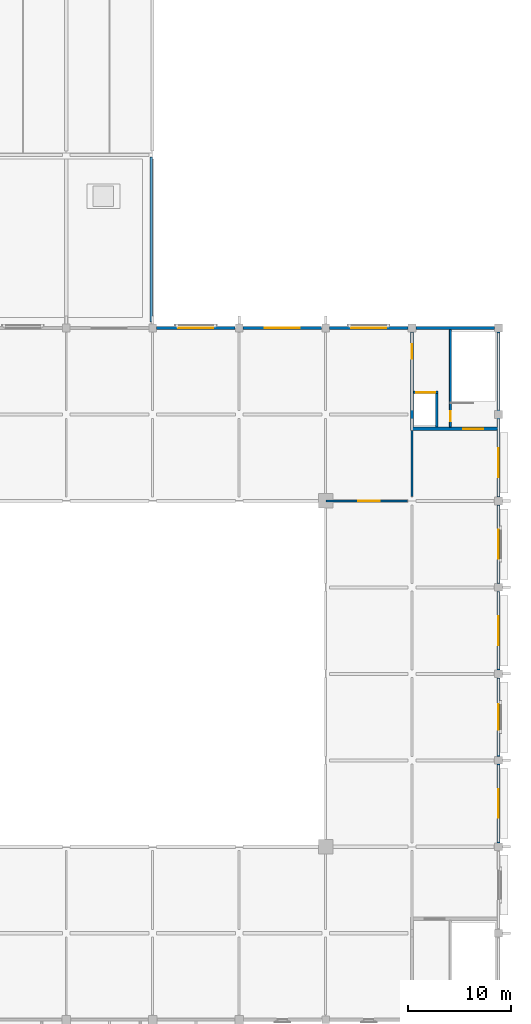
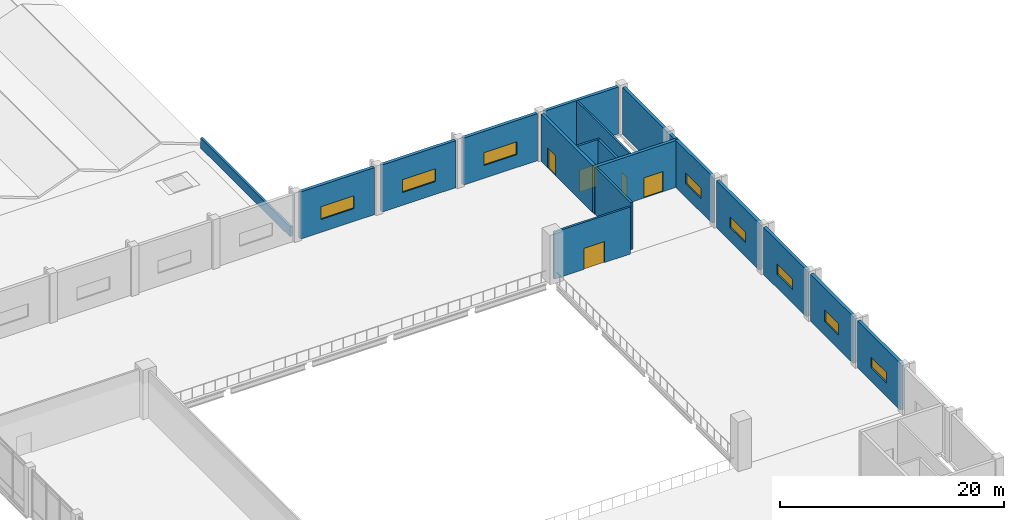
# One storey, part 60 of 72: 18 walls, 8 windows, 5 doors, 13 openings.
"""IFC4 building model written with IfcOpenShell, lengths in metres."""

from ifc_helpers import new_model, si_unit, direction, frame, frame_2d, origin, place, context, subcontext, project, spatial, rectangle, extrude, material, layer, layer_set, type_object, element, fill, save


model = new_model("IFC4")

# Units and contexts
model_context = context("Model", 3, precision=1e-05, world=origin(), true_north=direction((0.0, 1.0)))
body_context = subcontext(model_context, "Body", "Model", "MODEL_VIEW")
ifc_project = project(units=[si_unit("LENGTHUNIT", "METRE"), si_unit("AREAUNIT", "SQUARE_METRE"), si_unit("VOLUMEUNIT", "CUBIC_METRE"), si_unit("PLANEANGLEUNIT", "RADIAN"), si_unit("MASSUNIT", "GRAM", prefix="KILO")], contexts=[model_context])

# Site, building, storey
site_placement = place(None, origin())
site = spatial("IfcSite", under=ifc_project, at=site_placement, CompositionType="ELEMENT")
building_placement = place(site_placement, origin())
building = spatial("IfcBuilding", under=site, at=building_placement, Name="Qawsi Khor Wholesale Market", CompositionType="ELEMENT")
storey_placement = place(building_placement, frame((0.0, 0.0, 6.0)))
storey = spatial("IfcBuildingStorey", under=building, at=storey_placement, Name="L01", CompositionType="ELEMENT", Elevation=6.0)

# Wall, opening, door
ifc_material_1 = material(Name="Gypsum Fireboard on Steel Stud", Category="steel")
ifc_layer_1 = layer(ifc_material_1, 0.2099609375, Name="Gypsum Fireboard on Steel Stud")
ifc_layer_set_1 = layer_set([ifc_layer_1], Name="Gypsum Fireboard on Steel Stud")
wall_type_1 = type_object("IfcWallType", Name="Corridor Fire Partition Wall 210", PredefinedType="PARTITIONING", material=ifc_layer_set_1)
wall_1_placement = place(storey_placement, frame((201.64990234375, 92.39990234375, 0.0), z_axis=(0.0, 0.0, 1.0), x_axis=(1.0, 0.0, 0.0)))
wall_1 = element("IfcWall", 1, at=wall_1_placement, inside=storey, type_object=wall_type_1, Name="PW-L01-125", PredefinedType="PARTITIONING", context=body_context, shape_type="SweptSolid", body=[
    extrude(rectangle(XDim=7.900146484375, YDim=0.2099609375, at=frame_2d((3.9501953125, 0.0))), origin(), (0.0, 0.0, 1.0), 5.1298828125),
])
opening_1_placement = place(wall_1_placement, frame((3.10009765625, 0.0, 0.0)))
opening_1 = element("IfcOpeningElement", 2, at=opening_1_placement, cuts=wall_1, Name="Opening ID-03", PredefinedType="OPENING", context=body_context, shape_type="SweptSolid", body=[
    extrude(rectangle(XDim=2.10009765625, YDim=2.300048828125, at=frame_2d((1.050048828125, 1.14990234375))), frame((0.0, 0.114990234375, 0.0), z_axis=(0.0, -1.0, 0.0), x_axis=(1.0, 0.0, 0.0)), (0.0, 0.0, 1.0), 0.22998046875),
])
ifc_material_2 = material(Name="Glazed Steel Fire Door", Category="steel")
door_type_1 = type_object("IfcDoorType", Name="Hall Concourse Double Door 2100x2300 FD60S", OperationType="NOTDEFINED", PredefinedType="DOOR", material=ifc_material_2)
door_1_placement = place(opening_1_placement, origin())
door_1 = element("IfcDoor", 3, at=door_1_placement, inside=storey, type_object=door_type_1, Name="Hall Concourse Double Door 2100x2300 FD60S L01-133", OperationType="DOUBLE_DOOR_SINGLE_SWING", OverallHeight=2.300048828125, OverallWidth=2.10009765625, PredefinedType="DOOR", context=body_context, shape_type="SweptSolid", body=[
    extrude(rectangle(XDim=2.10009765625, YDim=2.300048828125, at=frame_2d((1.050048828125, 1.14990234375))), frame((0.0, 0.02490234375, 0.0), z_axis=(0.0, -1.0, 0.0), x_axis=(1.0, 0.0, 0.0)), (0.0, 0.0, 1.0), 0.050048828125),
])
fill(opening_1, door_1)

# Wall
wall_2_placement = place(storey_placement, frame((210.0, 92.85009765625, 0.0), z_axis=(0.0, 0.0, 1.0), x_axis=(0.0, 1.0, 0.0)))
element("IfcWall", 4, at=wall_2_placement, inside=storey, type_object=wall_type_1, Name="PW-L01-126", PredefinedType="PARTITIONING", context=body_context, shape_type="SweptSolid", body=[
    extrude(rectangle(XDim=6.369873046875, YDim=0.2099609375, at=frame_2d((3.18505859375, 0.0))), origin(), (0.0, 0.0, 1.0), 5.1298828125),
])

# Wall, opening, window
ifc_material_3 = material(Name="Concrete C40/50", Category="concrete")
ifc_layer_2 = layer(ifc_material_3, 0.330078125, Name="Concrete C40/50")
ifc_layer_set_2 = layer_set([ifc_layer_2], Name="Concrete C40/50")
wall_type_2 = type_object("IfcWallType", Name="Fish Hall Precast Insulated Wall 330", PredefinedType="SOLIDWALL", material=ifc_layer_set_2)
wall_3_placement = place(storey_placement, frame((218.39990234375, 66.820068359375, 0.0), z_axis=(0.0, 0.0, 1.0), x_axis=(0.0, -1.0, 0.0)))
wall_3 = element("IfcWall", 5, at=wall_3_placement, inside=storey, type_object=wall_type_2, Name="EW-L01-EHE-07", PredefinedType="SOLIDWALL", context=body_context, shape_type="SweptSolid", body=[
    extrude(rectangle(XDim=7.64013671875, YDim=0.330078125, at=frame_2d((3.820068359375, 0.0))), origin(), (0.0, 0.0, 1.0), 5.1298828125),
])
opening_2_placement = place(wall_3_placement, frame((2.419921875, 0.0, 1.5)))
opening_2 = element("IfcOpeningElement", 6, at=opening_2_placement, cuts=wall_3, Name="Opening W-15", PredefinedType="OPENING", context=body_context, shape_type="SweptSolid", body=[
    extrude(rectangle(XDim=2.800048828125, YDim=1.14990234375, at=frame_2d((1.39990234375, 0.574951171875))), frame((0.0, 0.175048828125, 0.0), z_axis=(0.0, -1.0, 0.0), x_axis=(1.0, 0.0, 0.0)), (0.0, 0.0, 1.0), 0.35009765625),
])
ifc_material_4 = material(Name="Thermally Broken Aluminium & Low-E Glass", Category="aluminium")
window_type_1 = type_object("IfcWindowType", Name="Win W-15 Fish Hall High Vent 2800x1150", PartitioningType="SINGLE_PANEL", PredefinedType="WINDOW", material=ifc_material_4)
window_1_placement = place(opening_2_placement, origin())
window_1 = element("IfcWindow", 7, at=window_1_placement, inside=storey, type_object=window_type_1, Name="Win W-15 Fish Hall High Vent 2800x1150 185", OverallHeight=1.14990234375, OverallWidth=2.800048828125, PartitioningType="SINGLE_PANEL", PredefinedType="WINDOW", context=body_context, shape_type="SweptSolid", body=[
    extrude(rectangle(XDim=2.800048828125, YDim=1.14990234375, at=frame_2d((1.39990234375, 0.574951171875))), frame((0.0, 0.030029296875, 0.0), z_axis=(0.0, -1.0, 0.0), x_axis=(1.0, 0.0, 0.0)), (0.0, 0.0, 1.0), 0.06005859375),
])
fill(opening_2, window_1)

wall_4_placement = place(storey_placement, frame((218.39990234375, 75.219970703125, 0.0), z_axis=(0.0, 0.0, 1.0), x_axis=(0.0, -1.0, 0.0)))
wall_4 = element("IfcWall", 8, at=wall_4_placement, inside=storey, type_object=wall_type_2, Name="EW-L01-EHE-08", PredefinedType="SOLIDWALL", context=body_context, shape_type="SweptSolid", body=[
    extrude(rectangle(XDim=7.639892578125, YDim=0.330078125, at=frame_2d((3.81982421875, 0.0))), origin(), (0.0, 0.0, 1.0), 5.1298828125),
])
opening_3_placement = place(wall_4_placement, frame((2.570068359375, 0.0, 1.5)))
opening_3 = element("IfcOpeningElement", 9, at=opening_3_placement, cuts=wall_4, Name="Opening W-22", PredefinedType="OPENING", context=body_context, shape_type="SweptSolid", body=[
    extrude(rectangle(XDim=2.5, YDim=1.25, at=frame_2d((1.25, 0.625))), frame((0.0, 0.175048828125, 0.0), z_axis=(0.0, -1.0, 0.0), x_axis=(1.0, 0.0, 0.0)), (0.0, 0.0, 1.0), 0.35009765625),
])
window_type_2 = type_object("IfcWindowType", Name="Win W-22 Fish Mezzanine Vent 2500x1250", PartitioningType="SINGLE_PANEL", PredefinedType="WINDOW", material=ifc_material_4)
window_2_placement = place(opening_3_placement, origin())
window_2 = element("IfcWindow", 10, at=window_2_placement, inside=storey, type_object=window_type_2, Name="Win W-22 Fish Mezzanine Vent 2500x1250 186", OverallHeight=1.25, OverallWidth=2.5, PartitioningType="SINGLE_PANEL", PredefinedType="WINDOW", context=body_context, shape_type="SweptSolid", body=[
    extrude(rectangle(XDim=2.5, YDim=1.25, at=frame_2d((1.25, 0.625))), frame((0.0, 0.030029296875, 0.0), z_axis=(0.0, -1.0, 0.0), x_axis=(1.0, 0.0, 0.0)), (0.0, 0.0, 1.0), 0.06005859375),
])
fill(opening_3, window_2)

wall_5_placement = place(storey_placement, frame((218.39990234375, 83.6201171875, 0.0), z_axis=(0.0, 0.0, 1.0), x_axis=(0.0, -1.0, 0.0)))
wall_5 = element("IfcWall", 11, at=wall_5_placement, inside=storey, type_object=wall_type_2, Name="EW-L01-EHE-09", PredefinedType="SOLIDWALL", context=body_context, shape_type="SweptSolid", body=[
    extrude(rectangle(XDim=7.64013671875, YDim=0.330078125, at=frame_2d((3.820068359375, 0.0))), origin(), (0.0, 0.0, 1.0), 5.1298828125),
])
opening_4_placement = place(wall_5_placement, frame((2.419921875, 0.0, 1.5)))
opening_4 = element("IfcOpeningElement", 12, at=opening_4_placement, cuts=wall_5, Name="Opening W-15", PredefinedType="OPENING", context=body_context, shape_type="SweptSolid", body=[
    extrude(rectangle(XDim=2.800048828125, YDim=1.14990234375, at=frame_2d((1.39990234375, 0.574951171875))), frame((0.0, 0.175048828125, 0.0), z_axis=(0.0, -1.0, 0.0), x_axis=(1.0, 0.0, 0.0)), (0.0, 0.0, 1.0), 0.35009765625),
])
window_3_placement = place(opening_4_placement, origin())
window_3 = element("IfcWindow", 13, at=window_3_placement, inside=storey, type_object=window_type_1, Name="Win W-15 Fish Hall High Vent 2800x1150 187", OverallHeight=1.14990234375, OverallWidth=2.800048828125, PartitioningType="SINGLE_PANEL", PredefinedType="WINDOW", context=body_context, shape_type="SweptSolid", body=[
    extrude(rectangle(XDim=2.800048828125, YDim=1.14990234375, at=frame_2d((1.39990234375, 0.574951171875))), frame((0.0, 0.030029296875, 0.0), z_axis=(0.0, -1.0, 0.0), x_axis=(1.0, 0.0, 0.0)), (0.0, 0.0, 1.0), 0.06005859375),
])
fill(opening_4, window_3)

wall_6_placement = place(storey_placement, frame((218.39990234375, 92.02001953125, 0.0), z_axis=(0.0, 0.0, 1.0), x_axis=(0.0, -1.0, 0.0)))
wall_6 = element("IfcWall", 14, at=wall_6_placement, inside=storey, type_object=wall_type_2, Name="EW-L01-EHE-10", PredefinedType="SOLIDWALL", context=body_context, shape_type="SweptSolid", body=[
    extrude(rectangle(XDim=7.64013671875, YDim=0.330078125, at=frame_2d((3.820068359375, 0.0))), origin(), (0.0, 0.0, 1.0), 5.1298828125),
])
opening_5_placement = place(wall_6_placement, frame((2.419921875, 0.0, 1.5)))
opening_5 = element("IfcOpeningElement", 15, at=opening_5_placement, cuts=wall_6, Name="Opening W-15", PredefinedType="OPENING", context=body_context, shape_type="SweptSolid", body=[
    extrude(rectangle(XDim=2.800048828125, YDim=1.14990234375, at=frame_2d((1.39990234375, 0.574951171875))), frame((0.0, 0.175048828125, 0.0), z_axis=(0.0, -1.0, 0.0), x_axis=(1.0, 0.0, 0.0)), (0.0, 0.0, 1.0), 0.35009765625),
])
window_4_placement = place(opening_5_placement, origin())
window_4 = element("IfcWindow", 16, at=window_4_placement, inside=storey, type_object=window_type_1, Name="Win W-15 Fish Hall High Vent 2800x1150 188", OverallHeight=1.14990234375, OverallWidth=2.800048828125, PartitioningType="SINGLE_PANEL", PredefinedType="WINDOW", context=body_context, shape_type="SweptSolid", body=[
    extrude(rectangle(XDim=2.800048828125, YDim=1.14990234375, at=frame_2d((1.39990234375, 0.574951171875))), frame((0.0, 0.030029296875, 0.0), z_axis=(0.0, -1.0, 0.0), x_axis=(1.0, 0.0, 0.0)), (0.0, 0.0, 1.0), 0.06005859375),
])
fill(opening_5, window_4)

wall_7_placement = place(storey_placement, frame((218.39990234375, 99.35009765625, 0.0), z_axis=(0.0, 0.0, 1.0), x_axis=(0.0, -1.0, 0.0)))
wall_7 = element("IfcWall", 17, at=wall_7_placement, inside=storey, type_object=wall_type_2, Name="EW-L01-EHE-11", PredefinedType="SOLIDWALL", context=body_context, shape_type="SweptSolid", body=[
    extrude(rectangle(XDim=6.570068359375, YDim=0.330078125, at=frame_2d((3.28515625, 0.0))), origin(), (0.0, 0.0, 1.0), 5.1298828125),
])
opening_6_placement = place(wall_7_placement, frame((1.8349609375, 0.0, 1.5)))
opening_6 = element("IfcOpeningElement", 18, at=opening_6_placement, cuts=wall_7, Name="Opening W-15", PredefinedType="OPENING", context=body_context, shape_type="SweptSolid", body=[
    extrude(rectangle(XDim=2.800048828125, YDim=1.14990234375, at=frame_2d((1.39990234375, 0.574951171875))), frame((0.0, 0.175048828125, 0.0), z_axis=(0.0, -1.0, 0.0), x_axis=(1.0, 0.0, 0.0)), (0.0, 0.0, 1.0), 0.35009765625),
])
window_5_placement = place(opening_6_placement, origin())
window_5 = element("IfcWindow", 19, at=window_5_placement, inside=storey, type_object=window_type_1, Name="Win W-15 Fish Hall High Vent 2800x1150 189", OverallHeight=1.14990234375, OverallWidth=2.800048828125, PartitioningType="SINGLE_PANEL", PredefinedType="WINDOW", context=body_context, shape_type="SweptSolid", body=[
    extrude(rectangle(XDim=2.800048828125, YDim=1.14990234375, at=frame_2d((1.39990234375, 0.574951171875))), frame((0.0, 0.030029296875, 0.0), z_axis=(0.0, -1.0, 0.0), x_axis=(1.0, 0.0, 0.0)), (0.0, 0.0, 1.0), 0.06005859375),
])
fill(opening_6, window_5)

wall_8_placement = place(storey_placement, frame((185.179931640625, 109.199951171875, 0.0), z_axis=(0.0, 0.0, 1.0), x_axis=(1.0, 0.0, 0.0)))
wall_8 = element("IfcWall", 20, at=wall_8_placement, inside=storey, type_object=wall_type_2, Name="EW-L01-EHN-22", PredefinedType="SOLIDWALL", context=body_context, shape_type="SweptSolid", body=[
    extrude(rectangle(XDim=7.64013671875, YDim=0.330078125, at=frame_2d((3.820068359375, 0.0))), origin(), (0.0, 0.0, 1.0), 5.1298828125),
])
opening_7_placement = place(wall_8_placement, frame((2.1201171875, 0.0, 1.39990234375)))
opening_7 = element("IfcOpeningElement", 21, at=opening_7_placement, cuts=wall_8, Name="Opening W-14", PredefinedType="OPENING", context=body_context, shape_type="SweptSolid", body=[
    extrude(rectangle(XDim=3.39990234375, YDim=1.39990234375, at=frame_2d((1.699951171875, 0.699951171875))), frame((0.0, 0.175048828125, 0.0), z_axis=(0.0, -1.0, 0.0), x_axis=(1.0, 0.0, 0.0)), (0.0, 0.0, 1.0), 0.35009765625),
])
window_type_3 = type_object("IfcWindowType", Name="Win W-14 Flower Hall North Light 3400x1400", PartitioningType="SINGLE_PANEL", PredefinedType="WINDOW", material=ifc_material_4)
window_6_placement = place(opening_7_placement, origin())
window_6 = element("IfcWindow", 22, at=window_6_placement, inside=storey, type_object=window_type_3, Name="Win W-14 Flower Hall North Light 3400x1400 197", OverallHeight=1.39990234375, OverallWidth=3.39990234375, PartitioningType="SINGLE_PANEL", PredefinedType="WINDOW", context=body_context, shape_type="SweptSolid", body=[
    extrude(rectangle(XDim=3.39990234375, YDim=1.39990234375, at=frame_2d((1.699951171875, 0.699951171875))), frame((0.0, 0.030029296875, 0.0), z_axis=(0.0, -1.0, 0.0), x_axis=(1.0, 0.0, 0.0)), (0.0, 0.0, 1.0), 0.06005859375),
])
fill(opening_7, window_6)

wall_9_placement = place(storey_placement, frame((193.580078125, 109.199951171875, 0.0), z_axis=(0.0, 0.0, 1.0), x_axis=(1.0, 0.0, 0.0)))
wall_9 = element("IfcWall", 23, at=wall_9_placement, inside=storey, type_object=wall_type_2, Name="EW-L01-EHN-23", PredefinedType="SOLIDWALL", context=body_context, shape_type="SweptSolid", body=[
    extrude(rectangle(XDim=7.639892578125, YDim=0.330078125, at=frame_2d((3.81982421875, 0.0))), origin(), (0.0, 0.0, 1.0), 5.1298828125),
])
opening_8_placement = place(wall_9_placement, frame((2.1201171875, 0.0, 1.39990234375)))
opening_8 = element("IfcOpeningElement", 24, at=opening_8_placement, cuts=wall_9, Name="Opening W-14", PredefinedType="OPENING", context=body_context, shape_type="SweptSolid", body=[
    extrude(rectangle(XDim=3.39990234375, YDim=1.39990234375, at=frame_2d((1.699951171875, 0.699951171875))), frame((0.0, 0.175048828125, 0.0), z_axis=(0.0, -1.0, 0.0), x_axis=(1.0, 0.0, 0.0)), (0.0, 0.0, 1.0), 0.35009765625),
])
window_7_placement = place(opening_8_placement, origin())
window_7 = element("IfcWindow", 25, at=window_7_placement, inside=storey, type_object=window_type_3, Name="Win W-14 Flower Hall North Light 3400x1400 198", OverallHeight=1.39990234375, OverallWidth=3.39990234375, PartitioningType="SINGLE_PANEL", PredefinedType="WINDOW", context=body_context, shape_type="SweptSolid", body=[
    extrude(rectangle(XDim=3.39990234375, YDim=1.39990234375, at=frame_2d((1.699951171875, 0.699951171875))), frame((0.0, 0.030029296875, 0.0), z_axis=(0.0, -1.0, 0.0), x_axis=(1.0, 0.0, 0.0)), (0.0, 0.0, 1.0), 0.06005859375),
])
fill(opening_8, window_7)

wall_10_placement = place(storey_placement, frame((201.97998046875, 109.199951171875, 0.0), z_axis=(0.0, 0.0, 1.0), x_axis=(1.0, 0.0, 0.0)))
wall_10 = element("IfcWall", 26, at=wall_10_placement, inside=storey, type_object=wall_type_2, Name="EW-L01-EHN-24", PredefinedType="SOLIDWALL", context=body_context, shape_type="SweptSolid", body=[
    extrude(rectangle(XDim=7.64013671875, YDim=0.330078125, at=frame_2d((3.820068359375, 0.0))), origin(), (0.0, 0.0, 1.0), 5.1298828125),
])
opening_9_placement = place(wall_10_placement, frame((2.1201171875, 0.0, 1.39990234375)))
opening_9 = element("IfcOpeningElement", 27, at=opening_9_placement, cuts=wall_10, Name="Opening W-14", PredefinedType="OPENING", context=body_context, shape_type="SweptSolid", body=[
    extrude(rectangle(XDim=3.39990234375, YDim=1.39990234375, at=frame_2d((1.699951171875, 0.699951171875))), frame((0.0, 0.175048828125, 0.0), z_axis=(0.0, -1.0, 0.0), x_axis=(1.0, 0.0, 0.0)), (0.0, 0.0, 1.0), 0.35009765625),
])
window_8_placement = place(opening_9_placement, origin())
window_8 = element("IfcWindow", 28, at=window_8_placement, inside=storey, type_object=window_type_3, Name="Win W-14 Flower Hall North Light 3400x1400 199", OverallHeight=1.39990234375, OverallWidth=3.39990234375, PartitioningType="SINGLE_PANEL", PredefinedType="WINDOW", context=body_context, shape_type="SweptSolid", body=[
    extrude(rectangle(XDim=3.39990234375, YDim=1.39990234375, at=frame_2d((1.699951171875, 0.699951171875))), frame((0.0, 0.030029296875, 0.0), z_axis=(0.0, -1.0, 0.0), x_axis=(1.0, 0.0, 0.0)), (0.0, 0.0, 1.0), 0.06005859375),
])
fill(opening_9, window_8)

# Wall, opening, door
ifc_layer_3 = layer(ifc_material_3, 0.320068359375, Name="Concrete C40/50")
ifc_layer_set_3 = layer_set([ifc_layer_3], Name="Concrete C40/50")
wall_type_3 = type_object("IfcWallType", Name="Hall Lateral Shear Wall RC 320 C40/50", PredefinedType="SHEAR", material=ifc_layer_set_3)
wall_11_placement = place(storey_placement, frame((218.56005859375, 99.39990234375, 0.0), z_axis=(0.0, 0.0, 1.0), x_axis=(-1.0, 0.0, 0.0)))
wall_11 = element("IfcWall", 29, at=wall_11_placement, inside=storey, type_object=wall_type_3, Name="Core C12 south shear wall L01", PredefinedType="SHEAR", context=body_context, shape_type="SweptSolid", body=[
    extrude(rectangle(XDim=8.719970703125, YDim=0.320068359375, at=frame_2d((4.35986328125, 0.0))), origin(), (0.0, 0.0, 1.0), 5.1201171875),
])
opening_10_placement = place(wall_11_placement, frame((1.6298828125, 0.0, 0.0)))
opening_10 = element("IfcOpeningElement", 30, at=opening_10_placement, cuts=wall_11, Name="Opening ID-01", PredefinedType="OPENING", context=body_context, shape_type="SweptSolid", body=[
    extrude(rectangle(XDim=1.9599609375, YDim=2.199951171875, at=frame_2d((0.97998046875, 1.10009765625))), frame((0.0, 0.169921875, 0.0), z_axis=(0.0, -1.0, 0.0), x_axis=(1.0, 0.0, 0.0)), (0.0, 0.0, 1.0), 0.340087890625),
])
ifc_material_5 = material(Name="Steel Fire Door", Category="steel")
door_type_2 = type_object("IfcDoorType", Name="Stair & Core Fire Door 1960x2200 FD90S", OperationType="NOTDEFINED", PredefinedType="DOOR", material=ifc_material_5)
door_2_placement = place(opening_10_placement, origin())
door_2 = element("IfcDoor", 31, at=door_2_placement, inside=storey, type_object=door_type_2, Name="Core C12 fire door L01", OperationType="DOUBLE_DOOR_SINGLE_SWING", OverallHeight=2.199951171875, OverallWidth=1.9599609375, PredefinedType="DOOR", context=body_context, shape_type="SweptSolid", body=[
    extrude(rectangle(XDim=1.9599609375, YDim=2.199951171875, at=frame_2d((0.97998046875, 1.10009765625))), frame((0.0, 0.02490234375, 0.0), z_axis=(0.0, -1.0, 0.0), x_axis=(1.0, 0.0, 0.0)), (0.0, 0.0, 1.0), 0.050048828125),
])
fill(opening_10, door_2)

wall_12_placement = place(storey_placement, frame((210.0, 99.56005859375, 0.0), z_axis=(0.0, 0.0, 1.0), x_axis=(0.0, 1.0, 0.0)))
wall_12 = element("IfcWall", 32, at=wall_12_placement, inside=storey, type_object=wall_type_3, Name="Core C12 west shear wall L01", PredefinedType="SHEAR", context=body_context, shape_type="SweptSolid", body=[
    extrude(rectangle(XDim=9.260009765625, YDim=0.320068359375, at=frame_2d((4.6298828125, 0.0))), origin(), (0.0, 0.0, 1.0), 5.1201171875),
])
opening_11_placement = place(wall_12_placement, frame((6.659912109375, 0.0, 0.0)))
opening_11 = element("IfcOpeningElement", 33, at=opening_11_placement, cuts=wall_12, Name="Opening ID-02", PredefinedType="OPENING", context=body_context, shape_type="SweptSolid", body=[
    extrude(rectangle(XDim=1.39990234375, YDim=2.199951171875, at=frame_2d((0.699951171875, 1.10009765625))), frame((0.0, 0.169921875, 0.0), z_axis=(0.0, -1.0, 0.0), x_axis=(1.0, 0.0, 0.0)), (0.0, 0.0, 1.0), 0.340087890625),
])
door_type_3 = type_object("IfcDoorType", Name="Firefighting Lobby Door 1400x2200 FD60S", OperationType="NOTDEFINED", PredefinedType="DOOR", material=ifc_material_5)
door_3_placement = place(opening_11_placement, origin())
door_3 = element("IfcDoor", 34, at=door_3_placement, inside=storey, type_object=door_type_3, Name="Core C12 lift lobby door L01", OperationType="SINGLE_SWING_LEFT", OverallHeight=2.199951171875, OverallWidth=1.39990234375, PredefinedType="DOOR", context=body_context, shape_type="SweptSolid", body=[
    extrude(rectangle(XDim=1.39990234375, YDim=2.199951171875, at=frame_2d((0.699951171875, 1.10009765625))), frame((0.0, 0.02490234375, 0.0), z_axis=(0.0, -1.0, 0.0), x_axis=(1.0, 0.0, 0.0)), (0.0, 0.0, 1.0), 0.050048828125),
])
fill(opening_11, door_3)

# Walls
wall_13_placement = place(storey_placement, frame((210.3798828125, 109.199951171875, 0.0), z_axis=(0.0, 0.0, 1.0), x_axis=(1.0, 0.0, 0.0)))
element("IfcWall", 35, at=wall_13_placement, inside=storey, type_object=wall_type_3, Name="Core C12 north shear wall L01", PredefinedType="SHEAR", context=body_context, shape_type="SweptSolid", body=[
    extrude(rectangle(XDim=7.615234375, YDim=0.320068359375, at=frame_2d((3.8076171875, 0.0))), origin(), (0.0, 0.0, 1.0), 5.1201171875),
])
wall_14_placement = place(storey_placement, frame((218.39990234375, 108.794921875, 0.0), z_axis=(0.0, 0.0, 1.0), x_axis=(0.0, -1.0, 0.0)))
element("IfcWall", 36, at=wall_14_placement, inside=storey, type_object=wall_type_3, Name="Core C12 east shear wall L01", PredefinedType="SHEAR", context=body_context, shape_type="SweptSolid", body=[
    extrude(rectangle(XDim=9.23486328125, YDim=0.320068359375, at=frame_2d((4.617431640625, 0.0))), origin(), (0.0, 0.0, 1.0), 5.1201171875),
])
ifc_layer_4 = layer(ifc_material_3, 0.219970703125, Name="Concrete C40/50")
ifc_layer_set_4 = layer_set([ifc_layer_4], Name="Concrete C40/50")
wall_type_4 = type_object("IfcWallType", Name="Lift & Stair Shaft Wall RC 220", PredefinedType="SOLIDWALL", material=ifc_layer_set_4)
wall_15_placement = place(storey_placement, frame((212.389892578125, 99.56005859375, 0.0), z_axis=(0.0, 0.0, 1.0), x_axis=(0.0, 1.0, 0.0)))
element("IfcWall", 37, at=wall_15_placement, inside=storey, type_object=wall_type_4, Name="Lift GL-04 shaft wall E L01", PredefinedType="SOLIDWALL", context=body_context, shape_type="SweptSolid", body=[
    extrude(rectangle(XDim=3.389892578125, YDim=0.219970703125, at=frame_2d((1.69482421875, 0.0))), origin(), (0.0, 0.0, 1.0), 5.1201171875),
])

# Wall, opening, door
wall_16_placement = place(storey_placement, frame((210.159912109375, 102.949951171875, 0.0), z_axis=(0.0, 0.0, 1.0), x_axis=(1.0, 0.0, 0.0)))
wall_16 = element("IfcWall", 38, at=wall_16_placement, inside=storey, type_object=wall_type_4, Name="Lift GL-04 shaft wall N L01", PredefinedType="SOLIDWALL", context=body_context, shape_type="SweptSolid", body=[
    extrude(rectangle(XDim=2.340087890625, YDim=0.219970703125, at=frame_2d((1.169921875, 0.0))), origin(), (0.0, 0.0, 1.0), 5.1201171875),
])
opening_12_placement = place(wall_16_placement, frame((0.260009765625, 0.0, 0.0)))
opening_12 = element("IfcOpeningElement", 39, at=opening_12_placement, cuts=wall_16, Name="Opening LD-G180", PredefinedType="OPENING", context=body_context, shape_type="SweptSolid", body=[
    extrude(rectangle(XDim=1.820068359375, YDim=2.39990234375, at=frame_2d((0.91015625, 1.199951171875))), frame((0.0, 0.119873046875, 0.0), z_axis=(0.0, -1.0, 0.0), x_axis=(1.0, 0.0, 0.0)), (0.0, 0.0, 1.0), 0.239990234375),
])
ifc_material_6 = material(Name="Heavy-Duty Stainless Steel", Category="steel")
door_type_4 = type_object("IfcDoorType", Name="Goods Lift Landing Sliding Door 1820x2400 FD90S", OperationType="NOTDEFINED", PredefinedType="DOOR", material=ifc_material_6)
door_4_placement = place(opening_12_placement, origin())
door_4 = element("IfcDoor", 40, at=door_4_placement, inside=storey, type_object=door_type_4, Name="Lift GL-04 landing door L01", OperationType="SLIDING_TO_RIGHT", OverallHeight=2.39990234375, OverallWidth=1.820068359375, PredefinedType="DOOR", context=body_context, shape_type="SweptSolid", body=[
    extrude(rectangle(XDim=1.820068359375, YDim=2.39990234375, at=frame_2d((0.91015625, 1.199951171875))), frame((0.0, 0.02490234375, 0.0), z_axis=(0.0, -1.0, 0.0), x_axis=(1.0, 0.0, 0.0)), (0.0, 0.0, 1.0), 0.050048828125),
])
fill(opening_12, door_4)

# Wall
ifc_layer_5 = layer(ifc_material_3, 0.22998046875, Name="Concrete C40/50")
ifc_layer_set_5 = layer_set([ifc_layer_5], Name="Concrete C40/50")
wall_type_5 = type_object("IfcWallType", Name="Roof Parapet Upstand Wall 230", PredefinedType="PARAPET", material=ifc_layer_set_5)
wall_17_placement = place(storey_placement, frame((184.64990234375, 109.800048828125, 0.0), z_axis=(0.0, 0.0, 1.0), x_axis=(0.0, 1.0, 0.0)))
element("IfcWall", 41, at=wall_17_placement, inside=storey, type_object=wall_type_5, Name="Roof parapet PRP-L01-NEC-E", PredefinedType="PARAPET", context=body_context, shape_type="SweptSolid", body=[
    extrude(rectangle(XDim=16.0, YDim=0.22998046875, at=frame_2d((8.0, 0.0))), origin(), (0.0, 0.0, 1.0), 1.10009765625),
])

# Wall, opening, door
ifc_layer_6 = layer(ifc_material_3, 0.18994140625, Name="Concrete C40/50")
ifc_layer_set_6 = layer_set([ifc_layer_6], Name="Concrete C40/50")
wall_type_6 = type_object("IfcWallType", Name="Stairwell Enclosure Wall RC 190", PredefinedType="SOLIDWALL", material=ifc_layer_set_6)
wall_18_placement = place(storey_placement, frame((213.719970703125, 99.56005859375, 0.0), z_axis=(0.0, 0.0, 1.0), x_axis=(0.0, 1.0, 0.0)))
wall_18 = element("IfcWall", 42, at=wall_18_placement, inside=storey, type_object=wall_type_6, Name="Core C12 stairwell enclosure wall L01", PredefinedType="SOLIDWALL", context=body_context, shape_type="SweptSolid", body=[
    extrude(rectangle(XDim=9.47998046875, YDim=0.18994140625, at=frame_2d((4.739990234375, 0.0))), origin(), (0.0, 0.0, 1.0), 5.1201171875),
])
opening_13_placement = place(wall_18_placement, frame((0.580078125, 0.0, 0.0)))
opening_13 = element("IfcOpeningElement", 43, at=opening_13_placement, cuts=wall_18, Name="Opening ID-17", PredefinedType="OPENING", context=body_context, shape_type="SweptSolid", body=[
    extrude(rectangle(XDim=0.97998046875, YDim=2.14990234375, at=frame_2d((0.489990234375, 1.074951171875))), frame((0.0, 0.10498046875, 0.0), z_axis=(0.0, -1.0, 0.0), x_axis=(1.0, 0.0, 0.0)), (0.0, 0.0, 1.0), 0.2099609375),
])
door_type_5 = type_object("IfcDoorType", Name="Core Stair Lobby Fire Door 980x2150 FD120S", OperationType="NOTDEFINED", PredefinedType="DOOR", material=ifc_material_5)
door_5_placement = place(opening_13_placement, origin())
door_5 = element("IfcDoor", 44, at=door_5_placement, inside=storey, type_object=door_type_5, Name="Core C12 stair enclosure fire door L01", OperationType="SINGLE_SWING_RIGHT", OverallHeight=2.14990234375, OverallWidth=0.97998046875, PredefinedType="DOOR", context=body_context, shape_type="SweptSolid", body=[
    extrude(rectangle(XDim=0.97998046875, YDim=2.14990234375, at=frame_2d((0.489990234375, 1.074951171875))), frame((0.0, 0.02490234375, 0.0), z_axis=(0.0, -1.0, 0.0), x_axis=(1.0, 0.0, 0.0)), (0.0, 0.0, 1.0), 0.050048828125),
])
fill(opening_13, door_5)

save(model, "model.ifc")
